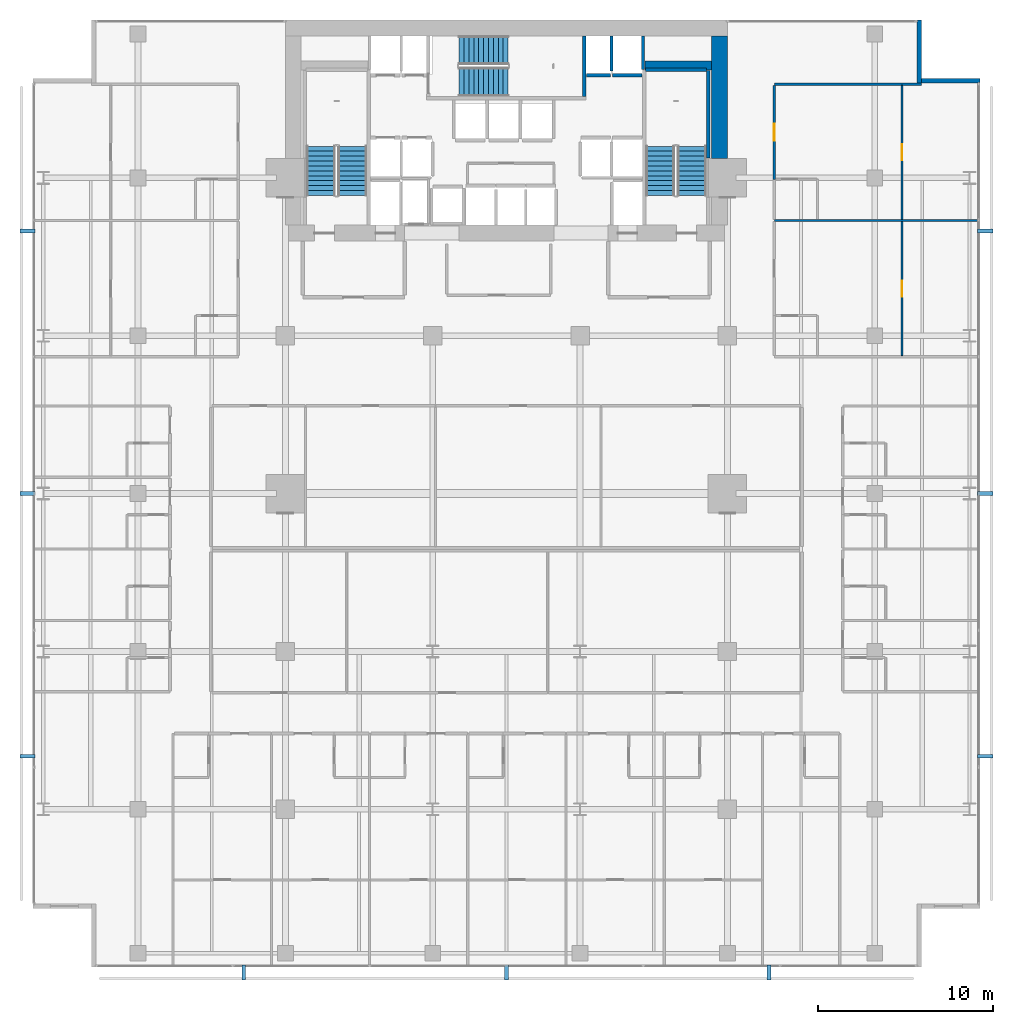
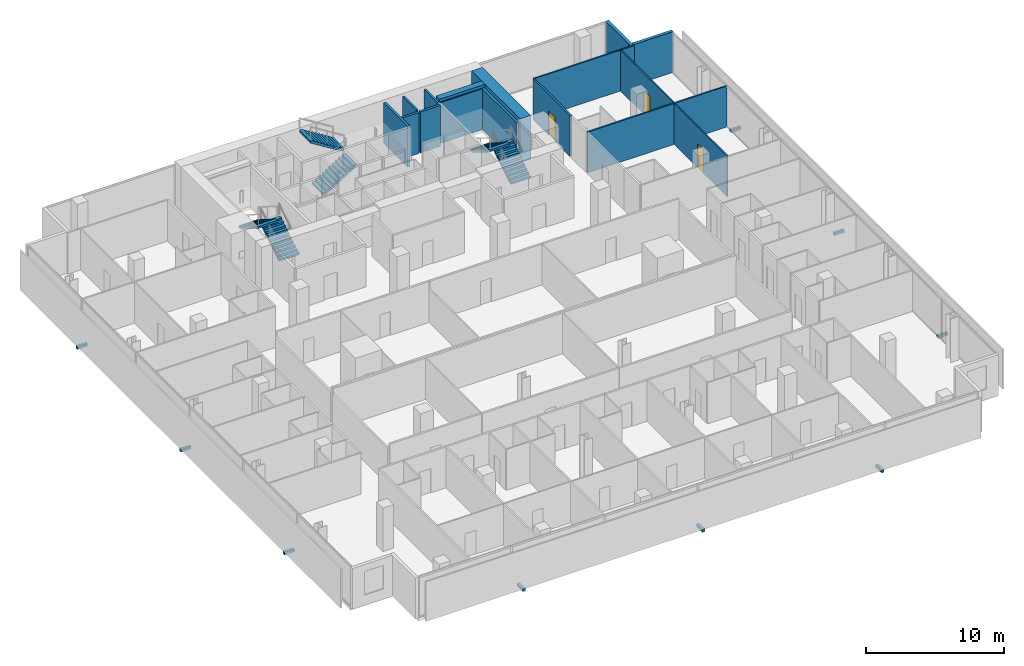
# One storey, part 38 of 40: 16 walls, 9 discrete accessories, 6 stair flights, 3 doors, 3 openings, 3 elements without a shape of their own.
"""IFC4 building model written with IfcOpenShell, lengths in metres."""

from ifc_helpers import new_model, si_unit, direction, frame, frame_2d, origin, origin_2d, place, context, subcontext, project, spatial, polyline, rectangle, outline, extrude, material, layer, layer_set, type_object, element, fill, aggregate, save


model = new_model("IFC4")

# Units and contexts
model_context = context("Model", 3, precision=1e-05, world=origin(), true_north=direction((0.0, 1.0)))
body_context = subcontext(model_context, "Body", "Model", "MODEL_VIEW")
ifc_project = project(units=[si_unit("LENGTHUNIT", "METRE"), si_unit("AREAUNIT", "SQUARE_METRE"), si_unit("VOLUMEUNIT", "CUBIC_METRE"), si_unit("PLANEANGLEUNIT", "RADIAN"), si_unit("MASSUNIT", "GRAM", prefix="KILO")], contexts=[model_context])

# Site, building, storey
site_placement = place(None, origin())
site = spatial("IfcSite", under=ifc_project, at=site_placement, CompositionType="ELEMENT")
building_placement = place(site_placement, origin())
building = spatial("IfcBuilding", under=site, at=building_placement, Name="Maruvema Waterfront Hotel and Observation Tower", CompositionType="ELEMENT")
storey_placement = place(building_placement, frame((0.0, 0.0, 53.89990234375)))
storey = spatial("IfcBuildingStorey", under=building, at=storey_placement, Name="L12", CompositionType="ELEMENT", Elevation=53.89990234375)

# Wall, opening, door
ifc_material_1 = material(Name="Twin-stud acoustic gypsum drywall", Category="gypsum")
ifc_layer_1 = layer(ifc_material_1, 0.14990234375, Name="Acoustic Corridor and Suite Demising Wall 150 mm")
ifc_layer_set_1 = layer_set([ifc_layer_1], Name="Twin-stud acoustic gypsum drywall")
wall_type_1 = type_object("IfcWallType", Name="Acoustic Corridor and Suite Demising Wall 150 mm", PredefinedType="PARTITIONING", material=ifc_layer_set_1)
wall_1_placement = place(storey_placement, frame((53.080078125, 44.918701171875, 0.0), z_axis=(0.0, 0.0, 1.0), x_axis=(0.0, 1.0, 0.0)))
wall_1 = element("IfcWall", 1, at=wall_1_placement, inside=storey, type_object=wall_type_1, Name="L12 Room L12-NE2 Corridor Wall 140", PredefinedType="PARTITIONING", context=body_context, shape_type="SweptSolid", body=[
    extrude(rectangle(XDim=5.35888671875, YDim=0.14990234375, at=frame_2d((2.679443359375, 0.0))), origin(), (0.0, 0.0, 1.0), 3.610107421875),
])
opening_1_placement = place(wall_1_placement, frame((2.204345703125, 0.0, 0.0)))
opening_1 = element("IfcOpeningElement", 2, at=opening_1_placement, cuts=wall_1, Name="Opening DR-095", PredefinedType="OPENING", context=body_context, shape_type="SweptSolid", body=[
    extrude(rectangle(XDim=0.949951171875, YDim=2.14990234375, at=frame_2d((0.47509765625, 1.074951171875))), frame((0.0, 0.0849609375, 0.0), z_axis=(0.0, -1.0, 0.0), x_axis=(1.0, 0.0, 0.0)), (0.0, 0.0, 1.0), 0.169921875),
])
ifc_material_2 = material(Name="Acoustic solid-core hardwood timber leaf", Category="wood")
door_type_1 = type_object("IfcDoorType", Name="Guestroom Entrance Fire Door 950x2150 mm", OperationType="NOTDEFINED", PredefinedType="DOOR", material=ifc_material_2)
door_1_placement = place(opening_1_placement, frame((0.949951171875, 0.0, 0.0), z_axis=(0.0, 0.0, 1.0), x_axis=(-1.0, 0.0, 0.0)))
door_1 = element("IfcDoor", 3, at=door_1_placement, inside=storey, type_object=door_type_1, Name="L12 Room L12-NE2 Entrance Door", OperationType="SINGLE_SWING_LEFT", OverallHeight=2.14990234375, OverallWidth=0.949951171875, PredefinedType="DOOR", context=body_context, shape_type="SweptSolid", body=[
    extrude(rectangle(XDim=0.949951171875, YDim=2.14990234375, at=frame_2d((0.47509765625, 1.074951171875))), frame((0.0, 0.02490234375, 0.0), z_axis=(0.0, -1.0, 0.0), x_axis=(1.0, 0.0, 0.0)), (0.0, 0.0, 1.0), 0.050048828125),
])
fill(opening_1, door_1)

# Walls
ifc_material_3 = material(Name="Precast concrete C45/55", Category="concrete")
ifc_layer_2 = layer(ifc_material_3, 0.199951171875, Name="Core Shaft and Stairwell Enclosure Wall 200 mm")
ifc_layer_set_2 = layer_set([ifc_layer_2], Name="Precast concrete C45/55")
wall_type_2 = type_object("IfcWallType", Name="Core Shaft and Stairwell Enclosure Wall 200 mm", PredefinedType="SOLIDWALL", material=ifc_layer_set_2)
wall_2_placement = place(storey_placement, frame((42.25, 49.64990234375, 0.0), z_axis=(0.0, 0.0, 1.0), x_axis=(0.0, 1.0, 0.0)))
element("IfcWall", 4, at=wall_2_placement, inside=storey, type_object=wall_type_2, Name="L12 Stairwell ST-02 Shaft Wall", PredefinedType="SOLIDWALL", context=body_context, shape_type="SweptSolid", body=[
    extrude(rectangle(XDim=3.4501953125, YDim=0.199951171875, at=frame_2d((1.72509765625, 0.0))), origin(), (0.0, 0.0, 1.0), 3.610107421875),
])
wall_3_placement = place(storey_placement, frame((49.300048828125, 46.1201171875, 0.0), z_axis=(0.0, 0.0, 1.0), x_axis=(0.0, 1.0, 0.0)))
element("IfcWall", 5, at=wall_3_placement, inside=storey, type_object=wall_type_2, Name="L12 Stairwell ST-03 Shaft Lining Wall", PredefinedType="SOLIDWALL", context=body_context, shape_type="SweptSolid", body=[
    extrude(rectangle(XDim=5.0, YDim=0.199951171875, at=frame_2d((2.5, 0.0))), origin(), (0.0, 0.0, 1.0), 3.610107421875),
])
wall_4_placement = place(storey_placement, frame((45.719970703125, 51.14990234375, 0.0), z_axis=(0.0, 0.0, 1.0), x_axis=(1.0, 0.0, 0.0)))
element("IfcWall", 6, at=wall_4_placement, inside=storey, type_object=wall_type_2, Name="L12 Stairwell ST-03 Shaft Lining Wall", PredefinedType="SOLIDWALL", context=body_context, shape_type="SweptSolid", body=[
    extrude(rectangle(XDim=3.5, YDim=0.199951171875, at=frame_2d((1.75, 0.0))), origin(), (0.0, 0.0, 1.0), 3.610107421875),
])
wall_5_placement = place(storey_placement, frame((42.360107421875, 50.85009765625, 0.0), z_axis=(0.0, 0.0, 1.0), x_axis=(1.0, 0.0, 0.0)))
element("IfcWall", 7, at=wall_5_placement, inside=storey, type_object=wall_type_2, Name="L12 Lift LF-07 Hoistway Front Wall", PredefinedType="SOLIDWALL", context=body_context, shape_type="SweptSolid", body=[
    extrude(rectangle(XDim=1.3798828125, YDim=0.199951171875, at=frame_2d((0.68994140625, 0.0))), origin(), (0.0, 0.0, 1.0), 3.610107421875),
])
wall_6_placement = place(storey_placement, frame((43.860107421875, 50.85009765625, 0.0), z_axis=(0.0, 0.0, 1.0), x_axis=(1.0, 0.0, 0.0)))
element("IfcWall", 8, at=wall_6_placement, inside=storey, type_object=wall_type_2, Name="L12 Lift LF-08 Hoistway Front Wall", PredefinedType="SOLIDWALL", context=body_context, shape_type="SweptSolid", body=[
    extrude(rectangle(XDim=1.679931640625, YDim=0.199951171875, at=frame_2d((0.83984375, 0.0))), origin(), (0.0, 0.0, 1.0), 3.610107421875),
])
ifc_material_4 = material(Name="Concrete C70/85", Category="concrete")
ifc_layer_3 = layer(ifc_material_4, 0.5, Name="Core Shear Wall 500 mm")
ifc_layer_set_3 = layer_set([ifc_layer_3], Name="Concrete C70/85")
wall_type_3 = type_object("IfcWallType", Name="Core Shear Wall 500 mm", PredefinedType="SHEAR", material=ifc_layer_set_3)
wall_7_placement = place(storey_placement, frame((45.699951171875, 51.39990234375, 0.0), z_axis=(0.0, 0.0, 1.0), x_axis=(1.0, 0.0, 0.0)))
element("IfcWall", 9, at=wall_7_placement, inside=storey, type_object=wall_type_3, Name="L12 Internal Core Shear Wall NE 500 mm", PredefinedType="SHEAR", context=body_context, shape_type="SweptSolid", body=[
    extrude(rectangle(XDim=3.800048828125, YDim=0.5, at=frame_2d((1.89990234375, 0.0))), origin(), (0.0, 0.0, 1.0), 3.85009765625),
])
ifc_material_5 = material(Name="Concrete C80/95", Category="concrete")
ifc_layer_4 = layer(ifc_material_5, 0.89990234375, Name="Core Shear Wall 900 mm")
ifc_layer_set_4 = layer_set([ifc_layer_4], Name="Concrete C80/95")
wall_type_4 = type_object("IfcWallType", Name="Core Shear Wall 900 mm", PredefinedType="SHEAR", material=ifc_layer_set_4)
wall_8_placement = place(storey_placement, frame((49.949951171875, 46.10009765625, 0.0), z_axis=(0.0, 0.0, 1.0), x_axis=(0.0, 1.0, 0.0)))
element("IfcWall", 10, at=wall_8_placement, inside=storey, type_object=wall_type_4, Name="L12 East-North Core Shear Wall", PredefinedType="SHEAR", context=body_context, shape_type="SweptSolid", body=[
    extrude(rectangle(XDim=7.0, YDim=0.89990234375, at=frame_2d((3.5, 0.0))), origin(), (0.0, 0.0, 1.0), 3.85009765625),
])

# Wall, opening, door
ifc_material_6 = material(Name="Moisture-resistant cement-board drywall", Category="gypsum")
ifc_layer_5 = layer(ifc_material_6, 0.10009765625, Name="En-Suite Moisture-Resistant Partition 100 mm")
ifc_layer_set_5 = layer_set([ifc_layer_5], Name="Moisture-resistant cement-board drywall")
wall_type_5 = type_object("IfcWallType", Name="En-Suite Moisture-Resistant Partition 100 mm", PredefinedType="PARTITIONING", material=ifc_layer_set_5)
wall_9_placement = place(storey_placement, frame((60.350341796875, 34.860107421875, 0.0), z_axis=(0.0, 0.0, 1.0), x_axis=(0.0, 1.0, 0.0)))
wall_9 = element("IfcWall", 11, at=wall_9_placement, inside=storey, type_object=wall_type_5, Name="L12 Suite L12-NE1 Split 131", PredefinedType="PARTITIONING", context=body_context, shape_type="SweptSolid", body=[
    extrude(rectangle(XDim=7.648681640625, YDim=0.10009765625, at=frame_2d((3.82421875, 0.0))), origin(), (0.0, 0.0, 1.0), 3.610107421875),
])
opening_2_placement = place(wall_9_placement, frame((3.374267578125, 0.0, 0.0)))
opening_2 = element("IfcOpeningElement", 12, at=opening_2_placement, cuts=wall_9, Name="Opening DR-090", PredefinedType="OPENING", context=body_context, shape_type="SweptSolid", body=[
    extrude(rectangle(XDim=0.89990234375, YDim=2.10009765625, at=frame_2d((0.449951171875, 1.050048828125))), frame((0.0, 0.06005859375, 0.0), z_axis=(0.0, -1.0, 0.0), x_axis=(1.0, 0.0, 0.0)), (0.0, 0.0, 1.0), 0.1201171875),
])
ifc_material_7 = material(Name="Solid-core lacquered timber leaf", Category="wood")
door_type_2 = type_object("IfcDoorType", Name="Accessible Toilet and Room Door 900x2100 mm", OperationType="NOTDEFINED", PredefinedType="DOOR", material=ifc_material_7)
door_2_placement = place(opening_2_placement, frame((0.89990234375, 0.0, 0.0), z_axis=(0.0, 0.0, 1.0), x_axis=(-1.0, 0.0, 0.0)))
door_2 = element("IfcDoor", 13, at=door_2_placement, inside=storey, type_object=door_type_2, Name="L12 Suite L12-NE1 Bedroom Door", OperationType="SINGLE_SWING_RIGHT", OverallHeight=2.10009765625, OverallWidth=0.89990234375, PredefinedType="DOOR", context=body_context, shape_type="SweptSolid", body=[
    extrude(rectangle(XDim=0.89990234375, YDim=2.10009765625, at=frame_2d((0.449951171875, 1.050048828125))), frame((0.0, 0.02490234375, 0.0), z_axis=(0.0, -1.0, 0.0), x_axis=(1.0, 0.0, 0.0)), (0.0, 0.0, 1.0), 0.050048828125),
])
fill(opening_2, door_2)

wall_10_placement = place(storey_placement, frame((60.350341796875, 42.628662109375, 0.0), z_axis=(0.0, 0.0, 1.0), x_axis=(0.0, 1.0, 0.0)))
wall_10 = element("IfcWall", 14, at=wall_10_placement, inside=storey, type_object=wall_type_5, Name="L12 Suite L12-NE2 Split 143", PredefinedType="PARTITIONING", context=body_context, shape_type="SweptSolid", body=[
    extrude(rectangle(XDim=7.64892578125, YDim=0.10009765625, at=frame_2d((3.824462890625, 0.0))), origin(), (0.0, 0.0, 1.0), 3.610107421875),
])
opening_3_placement = place(wall_10_placement, frame((3.37451171875, 0.0, 0.0)))
opening_3 = element("IfcOpeningElement", 15, at=opening_3_placement, cuts=wall_10, Name="Opening DR-090", PredefinedType="OPENING", context=body_context, shape_type="SweptSolid", body=[
    extrude(rectangle(XDim=0.89990234375, YDim=2.10009765625, at=frame_2d((0.449951171875, 1.050048828125))), frame((0.0, 0.06005859375, 0.0), z_axis=(0.0, -1.0, 0.0), x_axis=(1.0, 0.0, 0.0)), (0.0, 0.0, 1.0), 0.1201171875),
])
door_3_placement = place(opening_3_placement, frame((0.89990234375, 0.0, 0.0), z_axis=(0.0, 0.0, 1.0), x_axis=(-1.0, 0.0, 0.0)))
door_3 = element("IfcDoor", 16, at=door_3_placement, inside=storey, type_object=door_type_2, Name="L12 Suite L12-NE2 Bedroom Door", OperationType="SINGLE_SWING_RIGHT", OverallHeight=2.10009765625, OverallWidth=0.89990234375, PredefinedType="DOOR", context=body_context, shape_type="SweptSolid", body=[
    extrude(rectangle(XDim=0.89990234375, YDim=2.10009765625, at=frame_2d((0.449951171875, 1.050048828125))), frame((0.0, 0.02490234375, 0.0), z_axis=(0.0, -1.0, 0.0), x_axis=(1.0, 0.0, 0.0)), (0.0, 0.0, 1.0), 0.050048828125),
])
fill(opening_3, door_3)

# Walls
ifc_material_8 = material(Name="Precast concrete C45/55 with honed Pernambuco granite facing", Category="masonry")
ifc_layer_6 = layer(ifc_material_8, 0.260009765625, Name="Exterior Granite Clad Spandrel and Pier Wall 260 mm")
ifc_layer_set_6 = layer_set([ifc_layer_6], Name="Precast concrete C45/55 with honed Pernambuco granite facing")
wall_type_6 = type_object("IfcWallType", Name="Exterior Granite Clad Spandrel and Pier Wall 260 mm", PredefinedType="SOLIDWALL", material=ifc_layer_set_6)
for number, where, z_axis, x_axis, name in (
    (17, (61.330078125, 54.0, 0.0), (0.0, 0.0, 1.0), (0.0, -1.0, 0.0), "L12 Corner Notch Granite Pier Wall NE1"),
    (18, (61.199951171875, 50.530029296875, 0.0), (0.0, 0.0, 1.0), (1.0, 0.0, 0.0), "L12 Corner Notch Granite Pier Wall NE2"),
):
    element("IfcWall", number, at=place(storey_placement, frame(where, z_axis=z_axis, x_axis=x_axis)), inside=storey, type_object=wall_type_6, Name=name, PredefinedType="SOLIDWALL", context=body_context, shape_type="SweptSolid", body=[
        extrude(rectangle(XDim=3.60009765625, YDim=0.260009765625, at=frame_2d((1.800048828125, 0.0))), origin(), (0.0, 0.0, 1.0), 3.610107421875),
    ])
ifc_material_9 = material(Name="Acoustic gypsum plasterboard drywall", Category="gypsum")
ifc_layer_7 = layer(ifc_material_9, 0.125, Name="Guestroom Acoustic Demising Wall 125 mm")
ifc_layer_set_7 = layer_set([ifc_layer_7], Name="Acoustic gypsum plasterboard drywall")
wall_type_7 = type_object("IfcWallType", Name="Guestroom Acoustic Demising Wall 125 mm", PredefinedType="PARTITIONING", material=ifc_layer_set_7)
wall_11_placement = place(storey_placement, frame((53.080078125, 50.33740234375, 0.0), z_axis=(0.0, 0.0, 1.0), x_axis=(1.0, 0.0, 0.0)))
element("IfcWall", 19, at=wall_11_placement, inside=storey, type_object=wall_type_7, Name="L12 NE Top End 121", PredefinedType="PARTITIONING", context=body_context, shape_type="SweptSolid", body=[
    extrude(rectangle(XDim=8.3798828125, YDim=0.125, at=frame_2d((4.18994140625, 0.0))), origin(), (0.0, 0.0, 1.0), 3.610107421875),
])
wall_12_placement = place(storey_placement, frame((53.080078125, 42.568603515625, 0.0), z_axis=(0.0, 0.0, 1.0), x_axis=(1.0, 0.0, 0.0)))
element("IfcWall", 20, at=wall_12_placement, inside=storey, type_object=wall_type_7, Name="L12 NE Demising 2 133", PredefinedType="PARTITIONING", context=body_context, shape_type="SweptSolid", body=[
    extrude(rectangle(XDim=11.619873046875, YDim=0.125, at=frame_2d((5.81005859375, 0.0))), origin(), (0.0, 0.0, 1.0), 3.610107421875),
])
ifc_material_10 = material(Name="Precast concrete C45/55", Category="concrete")
ifc_layer_8 = layer(ifc_material_10, 0.159912109375, Name="Lift Hoistway Divider Wall 160 mm")
ifc_layer_set_8 = layer_set([ifc_layer_8], Name="Precast concrete C45/55")
wall_type_8 = type_object("IfcWallType", Name="Lift Hoistway Divider Wall 160 mm", PredefinedType="SOLIDWALL", material=ifc_layer_set_8)
wall_13_placement = place(storey_placement, frame((45.590087890625, 51.179931640625, 0.0), z_axis=(0.0, 0.0, 1.0), x_axis=(0.0, 1.0, 0.0)))
element("IfcWall", 21, at=wall_13_placement, inside=storey, type_object=wall_type_8, Name="L12 Hoistway Divider Wall", PredefinedType="SOLIDWALL", context=body_context, shape_type="SweptSolid", body=[
    extrude(rectangle(XDim=1.920166015625, YDim=0.159912109375, at=frame_2d((0.9599609375, 0.0))), origin(), (0.0, 0.0, 1.0), 3.610107421875),
])
wall_14_placement = place(storey_placement, frame((43.800048828125, 51.10009765625, 0.0), z_axis=(0.0, 0.0, 1.0), x_axis=(0.0, 1.0, 0.0)))
element("IfcWall", 22, at=wall_14_placement, inside=storey, type_object=wall_type_8, Name="L12 Hoistway Divider Wall", PredefinedType="SOLIDWALL", context=body_context, shape_type="SweptSolid", body=[
    extrude(rectangle(XDim=2.0, YDim=0.159912109375, at=frame_2d((1.0, 0.0))), origin(), (0.0, 0.0, 1.0), 3.610107421875),
])

# Stair, stair flights
ifc_material_11 = material(Name="Concrete C50/60", Category="concrete")
stair_type = type_object("IfcStairType", Name="Dogleg Exit Stair 1650 mm (22R x 175.0 mm)", PredefinedType="HALF_TURN_STAIR", material=ifc_material_11)
stair_1_placement = place(storey_placement, origin())
stair_1 = element("IfcStair", 23, at=stair_1_placement, inside=storey, type_object=stair_type, Name="L12 ST-01", PredefinedType="HALF_TURN_STAIR")
ifc_material_12 = material(Name="Concrete C50/60", Category="concrete")
stair_flight_type = type_object("IfcStairFlightType", Name="Reinforced Concrete Stair Flight 1650 mm (11R x 175.0 mm)", PredefinedType="STRAIGHT", material=ifc_material_12)
stair_flight_1_placement = place(storey_placement, frame((29.02490234375, 44.0, 0.0), z_axis=(0.0, 0.0, 1.0), x_axis=(0.0, 1.0, 0.0)))
stair_flight_1 = element("IfcStairFlight", 24, at=stair_flight_1_placement, type_object=stair_flight_type, Name="ST-01 flight 1", NumberOfRisers=11, NumberOfTreads=10, PredefinedType="STRAIGHT", RiserHeight=0.175, TreadLength=0.28, context=body_context, shape_type="SweptSolid", body=[
    extrude(outline(polyline([(0.0, 0.0), (0.0, 0.175048828125), (0.280029296875, 0.175048828125), (0.280029296875, 0.35009765625), (0.56005859375, 0.35009765625), (0.56005859375, 0.52490234375), (0.840087890625, 0.52490234375), (0.840087890625, 0.699951171875), (1.1201171875, 0.699951171875), (1.1201171875, 0.875), (1.39990234375, 0.875), (1.39990234375, 1.050048828125), (1.679931640625, 1.050048828125), (1.679931640625, 1.22509765625), (1.9599609375, 1.22509765625), (1.9599609375, 1.39990234375), (2.239990234375, 1.39990234375), (2.239990234375, 1.574951171875), (2.52001953125, 1.574951171875), (2.52001953125, 1.75), (2.800048828125, 1.75), (2.800048828125, 1.925048828125), (2.800048828125, 1.5732421875), (0.28271484375, 0.0), (0.0, 0.0)])), frame((0.0, 0.824951171875, 0.0), z_axis=(0.0, -1.0, 0.0), x_axis=(1.0, 0.0, 0.0)), (0.0, 0.0, 1.0), 1.64990234375),
])
stair_flight_2_placement = place(storey_placement, frame((27.22509765625, 46.800048828125, 1.925048828125), z_axis=(0.0, 0.0, 1.0), x_axis=(0.0, -1.0, 0.0)))
stair_flight_2 = element("IfcStairFlight", 25, at=stair_flight_2_placement, type_object=stair_flight_type, Name="ST-01 flight 2", NumberOfRisers=11, NumberOfTreads=10, PredefinedType="STRAIGHT", RiserHeight=0.175, TreadLength=0.28, context=body_context, shape_type="SweptSolid", body=[
    extrude(outline(polyline([(0.0, 0.0), (0.0, 0.175048828125), (0.280029296875, 0.175048828125), (0.280029296875, 0.35009765625), (0.56005859375, 0.35009765625), (0.56005859375, 0.52490234375), (0.840087890625, 0.52490234375), (0.840087890625, 0.699951171875), (1.1201171875, 0.699951171875), (1.1201171875, 0.875), (1.39990234375, 0.875), (1.39990234375, 1.050048828125), (1.679931640625, 1.050048828125), (1.679931640625, 1.22509765625), (1.9599609375, 1.22509765625), (1.9599609375, 1.39990234375), (2.239990234375, 1.39990234375), (2.239990234375, 1.574951171875), (2.52001953125, 1.574951171875), (2.52001953125, 1.75), (2.800048828125, 1.75), (2.800048828125, 1.925048828125), (2.800048828125, 1.5732421875), (0.28271484375, 0.0), (0.0, 0.0)])), frame((0.0, 0.824951171875, 0.0), z_axis=(0.0, -1.0, 0.0), x_axis=(1.0, 0.0, 0.0)), (0.0, 0.0, 1.0), 1.64990234375),
])
aggregate(stair_1, [stair_flight_1, stair_flight_2])

stair_2_placement = place(storey_placement, origin())
stair_2 = element("IfcStair", 26, at=stair_2_placement, inside=storey, type_object=stair_type, Name="L12 ST-02", PredefinedType="HALF_TURN_STAIR")
stair_flight_3_placement = place(storey_placement, frame((35.10009765625, 50.47509765625, 0.0), z_axis=(0.0, 0.0, 1.0), x_axis=(1.0, 0.0, 0.0)))
stair_flight_3 = element("IfcStairFlight", 27, at=stair_flight_3_placement, type_object=stair_flight_type, Name="ST-02 flight 1", NumberOfRisers=11, NumberOfTreads=10, PredefinedType="STRAIGHT", RiserHeight=0.175, TreadLength=0.28, context=body_context, shape_type="SweptSolid", body=[
    extrude(outline(polyline([(0.0, 0.0), (0.0, 0.175048828125), (0.280029296875, 0.175048828125), (0.280029296875, 0.35009765625), (0.56005859375, 0.35009765625), (0.56005859375, 0.52490234375), (0.840087890625, 0.52490234375), (0.840087890625, 0.699951171875), (1.1201171875, 0.699951171875), (1.1201171875, 0.875), (1.39990234375, 0.875), (1.39990234375, 1.050048828125), (1.679931640625, 1.050048828125), (1.679931640625, 1.22509765625), (1.9599609375, 1.22509765625), (1.9599609375, 1.39990234375), (2.239990234375, 1.39990234375), (2.239990234375, 1.574951171875), (2.52001953125, 1.574951171875), (2.52001953125, 1.75), (2.800048828125, 1.75), (2.800048828125, 1.925048828125), (2.800048828125, 1.5732421875), (0.28271484375, 0.0), (0.0, 0.0)])), frame((0.0, 0.824951171875, 0.0), z_axis=(0.0, -1.0, 0.0), x_axis=(1.0, 0.0, 0.0)), (0.0, 0.0, 1.0), 1.64990234375),
])
stair_flight_4_placement = place(storey_placement, frame((37.89990234375, 52.27490234375, 1.925048828125), z_axis=(0.0, 0.0, 1.0), x_axis=(-1.0, 0.0, 0.0)))
stair_flight_4 = element("IfcStairFlight", 28, at=stair_flight_4_placement, type_object=stair_flight_type, Name="ST-02 flight 2", NumberOfRisers=11, NumberOfTreads=10, PredefinedType="STRAIGHT", RiserHeight=0.175, TreadLength=0.28, context=body_context, shape_type="SweptSolid", body=[
    extrude(outline(polyline([(0.0, 0.0), (0.0, 0.175048828125), (0.280029296875, 0.175048828125), (0.280029296875, 0.35009765625), (0.56005859375, 0.35009765625), (0.56005859375, 0.52490234375), (0.840087890625, 0.52490234375), (0.840087890625, 0.699951171875), (1.1201171875, 0.699951171875), (1.1201171875, 0.875), (1.39990234375, 0.875), (1.39990234375, 1.050048828125), (1.679931640625, 1.050048828125), (1.679931640625, 1.22509765625), (1.9599609375, 1.22509765625), (1.9599609375, 1.39990234375), (2.239990234375, 1.39990234375), (2.239990234375, 1.574951171875), (2.52001953125, 1.574951171875), (2.52001953125, 1.75), (2.800048828125, 1.75), (2.800048828125, 1.925048828125), (2.800048828125, 1.5732421875), (0.28271484375, 0.0), (0.0, 0.0)])), frame((0.0, 0.824951171875, 0.0), z_axis=(0.0, -1.0, 0.0), x_axis=(1.0, 0.0, 0.0)), (0.0, 0.0, 1.0), 1.64990234375),
])
aggregate(stair_2, [stair_flight_3, stair_flight_4])

stair_3_placement = place(storey_placement, origin())
stair_3 = element("IfcStair", 29, at=stair_3_placement, inside=storey, type_object=stair_type, Name="L12 ST-03", PredefinedType="HALF_TURN_STAIR")
stair_flight_5_placement = place(storey_placement, frame((48.375, 44.0, 0.0), z_axis=(0.0, 0.0, 1.0), x_axis=(0.0, 1.0, 0.0)))
stair_flight_5 = element("IfcStairFlight", 30, at=stair_flight_5_placement, type_object=stair_flight_type, Name="ST-03 flight 1", NumberOfRisers=11, NumberOfTreads=10, PredefinedType="STRAIGHT", RiserHeight=0.175, TreadLength=0.28, context=body_context, shape_type="SweptSolid", body=[
    extrude(outline(polyline([(0.0, 0.0), (0.0, 0.175048828125), (0.280029296875, 0.175048828125), (0.280029296875, 0.35009765625), (0.56005859375, 0.35009765625), (0.56005859375, 0.52490234375), (0.840087890625, 0.52490234375), (0.840087890625, 0.699951171875), (1.1201171875, 0.699951171875), (1.1201171875, 0.875), (1.39990234375, 0.875), (1.39990234375, 1.050048828125), (1.679931640625, 1.050048828125), (1.679931640625, 1.22509765625), (1.9599609375, 1.22509765625), (1.9599609375, 1.39990234375), (2.239990234375, 1.39990234375), (2.239990234375, 1.574951171875), (2.52001953125, 1.574951171875), (2.52001953125, 1.75), (2.800048828125, 1.75), (2.800048828125, 1.925048828125), (2.800048828125, 1.5732421875), (0.28271484375, 0.0), (0.0, 0.0)])), frame((0.0, 0.824951171875, 0.0), z_axis=(0.0, -1.0, 0.0), x_axis=(1.0, 0.0, 0.0)), (0.0, 0.0, 1.0), 1.64990234375),
])
stair_flight_6_placement = place(storey_placement, frame((46.574951171875, 46.800048828125, 1.925048828125), z_axis=(0.0, 0.0, 1.0), x_axis=(0.0, -1.0, 0.0)))
stair_flight_6 = element("IfcStairFlight", 31, at=stair_flight_6_placement, type_object=stair_flight_type, Name="ST-03 flight 2", NumberOfRisers=11, NumberOfTreads=10, PredefinedType="STRAIGHT", RiserHeight=0.175, TreadLength=0.28, context=body_context, shape_type="SweptSolid", body=[
    extrude(outline(polyline([(0.0, 0.0), (0.0, 0.175048828125), (0.280029296875, 0.175048828125), (0.280029296875, 0.35009765625), (0.56005859375, 0.35009765625), (0.56005859375, 0.52490234375), (0.840087890625, 0.52490234375), (0.840087890625, 0.699951171875), (1.1201171875, 0.699951171875), (1.1201171875, 0.875), (1.39990234375, 0.875), (1.39990234375, 1.050048828125), (1.679931640625, 1.050048828125), (1.679931640625, 1.22509765625), (1.9599609375, 1.22509765625), (1.9599609375, 1.39990234375), (2.239990234375, 1.39990234375), (2.239990234375, 1.574951171875), (2.52001953125, 1.574951171875), (2.52001953125, 1.75), (2.800048828125, 1.75), (2.800048828125, 1.925048828125), (2.800048828125, 1.5732421875), (0.28271484375, 0.0), (0.0, 0.0)])), frame((0.0, 0.824951171875, 0.0), z_axis=(0.0, -1.0, 0.0), x_axis=(1.0, 0.0, 0.0)), (0.0, 0.0, 1.0), 1.64990234375),
])
aggregate(stair_3, [stair_flight_5, stair_flight_6])

# Discrete accessories
ifc_material_13 = material(Name="Duplex stainless steel Grade 2205", Category="steel")
discrete_accessory_type = type_object("IfcDiscreteAccessoryType", Name="Double-Skin Cavity Stainless Outrigger Bracket", PredefinedType="BRACKET", material=ifc_material_13)
for number, where, z_axis, x_axis, name in (
    (32, (22.823974609375, -0.300048828125, -0.14013671875), (0.0, 0.0, 1.0), (1.0, 0.0, 0.0), "L12 Outer Skin Support Bracket 1"),
    (33, (37.800048828125, -0.300048828125, -0.14013671875), (0.0, 0.0, 1.0), (1.0, 0.0, 0.0), "L12 Outer Skin Support Bracket 2"),
    (34, (52.77587890625, -0.300048828125, -0.14013671875), (0.0, 0.0, 1.0), (1.0, 0.0, 0.0), "L12 Outer Skin Support Bracket 3"),
    (35, (65.10009765625, 12.02392578125, -0.14013671875), (0.0, 0.0, 1.0), (0.0, 1.0, 0.0), "L12 Outer Skin Support Bracket 1"),
    (36, (65.10009765625, 27.0, -0.14013671875), (0.0, 0.0, 1.0), (0.0, 1.0, 0.0), "L12 Outer Skin Support Bracket 2"),
    (37, (65.10009765625, 41.97607421875, -0.14013671875), (0.0, 0.0, 1.0), (0.0, 1.0, 0.0), "L12 Outer Skin Support Bracket 3"),
    (38, (10.5, 41.97607421875, -0.14013671875), (0.0, 0.0, 1.0), (0.0, -1.0, 0.0), "L12 Outer Skin Support Bracket 1"),
    (39, (10.5, 27.0, -0.14013671875), (0.0, 0.0, 1.0), (0.0, -1.0, 0.0), "L12 Outer Skin Support Bracket 2"),
    (40, (10.5, 12.02392578125, -0.14013671875), (0.0, 0.0, 1.0), (0.0, -1.0, 0.0), "L12 Outer Skin Support Bracket 3"),
):
    element("IfcDiscreteAccessory", number, at=place(storey_placement, frame(where, z_axis=z_axis, x_axis=x_axis)), inside=storey, type_object=discrete_accessory_type, Name=name, PredefinedType="BRACKET", context=body_context, shape_type="SweptSolid", body=[
        extrude(rectangle(XDim=0.219970703125, YDim=0.860107421875, at=origin_2d()), origin(), (0.0, 0.0, 1.0), 0.239990234375),
    ])

save(model, "model.ifc")
